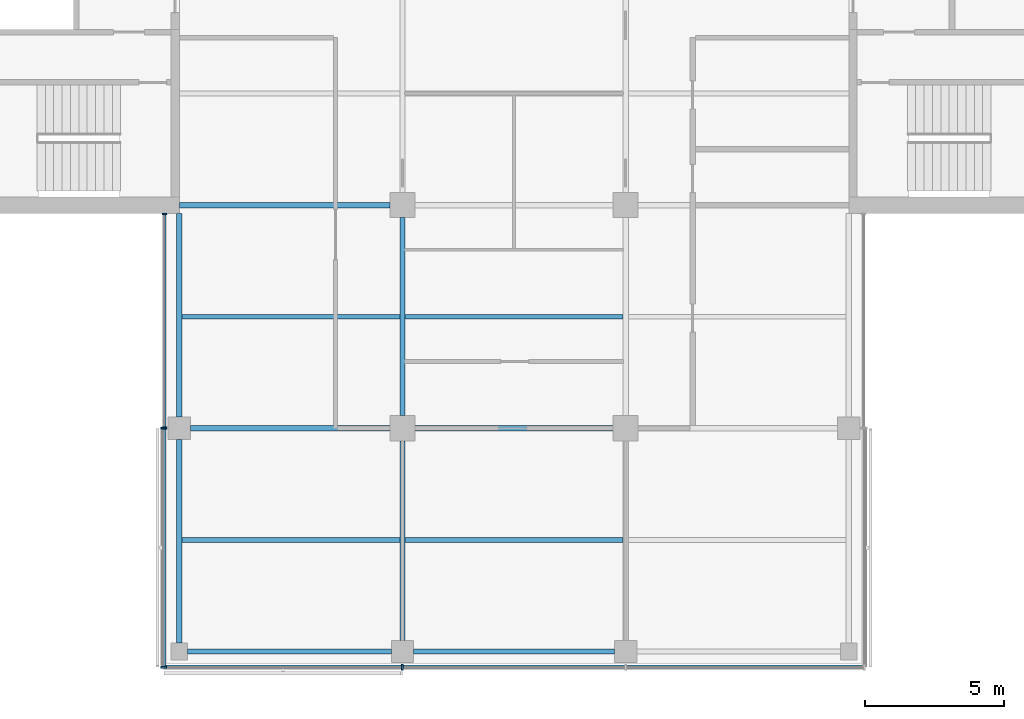
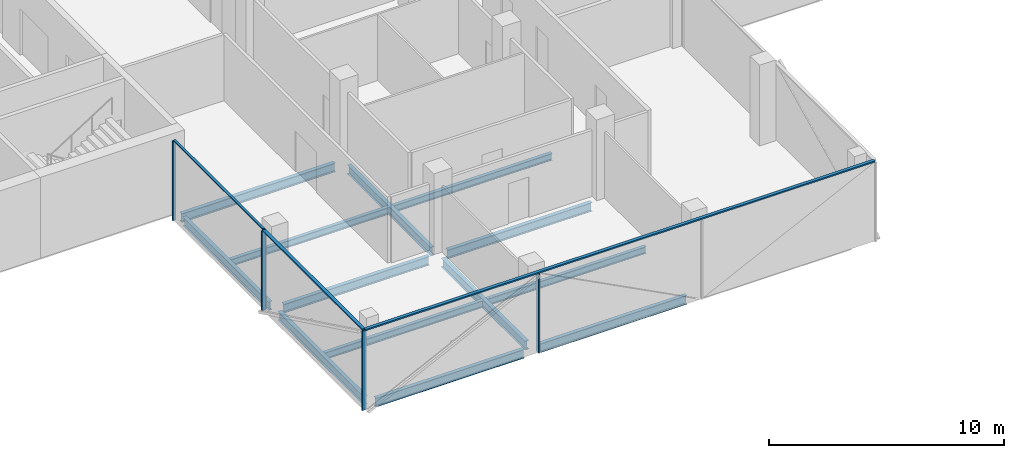
# One storey, part 2 of 15: 13 beams, 8 members, 3 elements without a shape of their own.
"""IFC4 building model written with IfcOpenShell, lengths in metres."""

import ifcopenshell
import ifcopenshell.guid

model = None  # the IFC model being written
_history = None  # IfcOwnerHistory: only IFC2X3 demands one
_inside = {}  # id of a spatial element -> (the spatial element, [elements in it])
_under = {}  # id of a project, library or spatial element -> (it, [spatial elements below it])
_declared = {}  # id of a project -> (the project, [libraries it declares])
_typed = {}  # id of a type object -> (the type object, [elements of that type])
_made_of = {}  # id of a material, layer set ... -> (it, [elements and type objects made of it])


def new_model(schema):
    """Start an empty IFC model of exactly this schema.

    Asked for "IFC4X3", IfcOpenShell would pick the latest addendum, in which some entities
    have other attributes; the version numbers below select the first issue.
    IFC2X3 requires an IfcOwnerHistory on every rooted entity: one is made here for all.
    """
    global model, _history
    if schema == "IFC4X3":
        model = ifcopenshell.file(schema_version=(4, 3, 0, 0))
    else:
        model = ifcopenshell.file(schema=schema)
    _inside.clear()
    _under.clear()
    _declared.clear()
    _typed.clear()
    _made_of.clear()
    _history = None
    if model.schema == "IFC2X3":
        org = make("IfcOrganization", Name="unknown")
        user = make(
            "IfcPersonAndOrganization",
            ThePerson=make("IfcPerson", FamilyName="unknown"),
            TheOrganization=org,
        )
        app = make(
            "IfcApplication",
            ApplicationDeveloper=org,
            Version="unknown",
            ApplicationFullName="unknown",
            ApplicationIdentifier="unknown",
        )
        _history = make(
            "IfcOwnerHistory",
            OwningUser=user,
            OwningApplication=app,
            ChangeAction="ADDED",
            CreationDate=0,
        )
    return model


def make(cls, **values):
    """One entity of the class cls with the attributes given. An attribute that is None is left unset."""
    return model.create_entity(
        cls, **{name: value for name, value in values.items() if value is not None}
    )


def rooted(cls, **values):
    """An entity with a GlobalId (a new one), such as an element, a storey or a relation."""
    return make(cls, GlobalId=ifcopenshell.guid.new(), OwnerHistory=_history, **values)


def si_unit(unit_type, name, prefix=None):
    """IfcSIUnit, for example si_unit("LENGTHUNIT", "METRE", prefix="MILLI")."""
    return make("IfcSIUnit", UnitType=unit_type, Prefix=prefix, Name=name)


def assignment(units):
    """IfcUnitAssignment: the units of a project."""
    return None if units is None else make("IfcUnitAssignment", Units=units)


def point(xyz):
    """IfcCartesianPoint."""
    return None if xyz is None else make("IfcCartesianPoint", Coordinates=xyz)


def direction(xyz):
    """IfcDirection."""
    return None if xyz is None else make("IfcDirection", DirectionRatios=xyz)


def frame(location, z_axis=None, x_axis=None):
    """IfcAxis2Placement3D, a coordinate frame: its origin and axes. An axis left out is left unset."""
    return make(
        "IfcAxis2Placement3D",
        Location=point(location),
        Axis=direction(z_axis),
        RefDirection=direction(x_axis),
    )


def frame_2d(location, x_axis=None):
    """IfcAxis2Placement2D, a coordinate frame in the plane: its origin and x axis."""
    return make(
        "IfcAxis2Placement2D", Location=point(location), RefDirection=direction(x_axis)
    )


def origin():
    """The frame at (0, 0, 0) with its axes left unset."""
    return frame((0.0, 0.0, 0.0))


def origin_2d():
    """The frame at (0, 0) in the plane with its x axis left unset."""
    return frame_2d((0.0, 0.0))


def place(relative_to, where):
    """IfcLocalPlacement: puts the frame where relative to a parent placement (None: the world)."""
    return make(
        "IfcLocalPlacement", PlacementRelTo=relative_to, RelativePlacement=where
    )


def context(
    kind, dimensions, precision=None, world=None, true_north=None, identifier=None
):
    """IfcGeometricRepresentationContext, for example the 3D "Model" context."""
    return make(
        "IfcGeometricRepresentationContext",
        ContextIdentifier=identifier,
        ContextType=kind,
        CoordinateSpaceDimension=dimensions,
        Precision=precision,
        WorldCoordinateSystem=world,
        TrueNorth=true_north,
    )


def subcontext(parent, identifier, kind, view, scale=None):
    """IfcGeometricRepresentationSubContext, for example "Body" below "Model"."""
    return make(
        "IfcGeometricRepresentationSubContext",
        ContextIdentifier=identifier,
        ContextType=kind,
        ParentContext=parent,
        TargetScale=scale,
        TargetView=view,
    )


def project(units=None, contexts=None):
    """IfcProject with its units and contexts."""
    return rooted(
        "IfcProject",
        Name="project",
        RepresentationContexts=contexts,
        UnitsInContext=assignment(units),
    )


def spatial(cls, under=None, at=None, **own):
    """A site, building, storey or space (cls), placed at a placement, below another one or the project."""
    s = rooted(cls, ObjectPlacement=at, **own)
    if under is not None:
        _under.setdefault(under.id(), (under, []))[1].append(s)
    return s


def profile(cls, at=None, kind="AREA", **sizes):
    """A parametric profile (cls). Its sizes go by their IFC names, for example OverallWidth=200.0."""
    return make(cls, ProfileType=kind, Position=at, **sizes)


def rectangle(**sizes):
    """IfcRectangleProfileDef."""
    return profile("IfcRectangleProfileDef", **sizes)


def i_section(**sizes):
    """IfcIShapeProfileDef."""
    return profile("IfcIShapeProfileDef", **sizes)


def extrude(swept, where, along, depth):
    """IfcExtrudedAreaSolid: the profile swept, set in the frame where, extruded along a direction by depth."""
    return make(
        "IfcExtrudedAreaSolid",
        SweptArea=swept,
        Position=where,
        ExtrudedDirection=direction(along),
        Depth=depth,
    )


def shape(context_of_items, identifier, shape_type, items):
    """IfcShapeRepresentation: the items that make up one representation, for example the "Body"."""
    return make(
        "IfcShapeRepresentation",
        ContextOfItems=context_of_items,
        RepresentationIdentifier=identifier,
        RepresentationType=shape_type,
        Items=items,
    )


def material(Name=None, Category=None):
    """IfcMaterial."""
    return make("IfcMaterial", Name=Name, Category=Category)


def material_profile(
    of_material, cross_section, Name=None, Category=None, Priority=None
):
    """IfcMaterialProfile: a cross section and its material."""
    return make(
        "IfcMaterialProfile",
        Name=Name,
        Material=of_material,
        Profile=cross_section,
        Priority=Priority,
        Category=Category,
    )


def profile_set(profiles, Name=None, composite=None):
    """IfcMaterialProfileSet."""
    return make(
        "IfcMaterialProfileSet",
        Name=Name,
        MaterialProfiles=profiles,
        CompositeProfile=composite,
    )


def made_of(thing, what):
    """Note that an element or type object is made of a material, layer set ...; save() writes the relation."""
    if what is not None:
        _made_of.setdefault(what.id(), (what, []))[1].append(thing)
    return thing


def type_object(cls, material=None, **own):
    """A type object (cls), such as IfcWallType, which elements share."""
    return made_of(rooted(cls, **own), material)


def element(
    cls,
    number,
    at=None,
    inside=None,
    cuts=None,
    type_object=None,
    material=None,
    context=None,
    identifier="Body",
    shape_type=None,
    held_by="IfcProductDefinitionShape",
    body=None,
    shapes=None,
    **own,
):
    """One element of the class cls, such as IfcWall. Its Tag is "e" and its number.

    at: its placement. inside: the storey or other place that contains it. cuts: it is an
    opening in that element (IfcRelVoidsElement). A single representation is given by context,
    identifier, shape_type and body (its items); several are given by shapes. held_by: the class
    of the entity that holds the representations. save() writes the other relations.
    """
    e = rooted(cls, Tag="e%d" % number, ObjectPlacement=at, **own)
    if body is not None:
        shapes = [shape(context, identifier, shape_type, body)]
    if shapes is not None:
        e.Representation = make(held_by, Representations=shapes)
    if inside is not None:
        _inside.setdefault(inside.id(), (inside, []))[1].append(e)
    if cuts is not None:
        rooted(
            "IfcRelVoidsElement", RelatingBuildingElement=cuts, RelatedOpeningElement=e
        )
    if type_object is not None:
        _typed.setdefault(type_object.id(), (type_object, []))[1].append(e)
    return made_of(e, material)


def aggregate(whole, parts):
    """IfcRelAggregates: a whole, such as a stair, and the parts it consists of."""
    return rooted("IfcRelAggregates", RelatingObject=whole, RelatedObjects=parts)


def save(model, path):
    """Write the relations noted so far, then the file.

    IfcRelAggregates (storeys below a building ...), IfcRelContainedInSpatialStructure (elements
    in a storey), IfcRelDefinesByType, IfcRelAssociatesMaterial and IfcRelDeclares: one each for
    every whole, place, type object, material and project.
    """
    for whole, parts in _under.values():
        aggregate(whole, parts)
    for where, things in _inside.values():
        rooted(
            "IfcRelContainedInSpatialStructure",
            RelatedElements=things,
            RelatingStructure=where,
        )
    for kind, things in _typed.values():
        rooted("IfcRelDefinesByType", RelatedObjects=things, RelatingType=kind)
    for what, things in _made_of.values():
        rooted("IfcRelAssociatesMaterial", RelatedObjects=things, RelatingMaterial=what)
    for by, libraries in _declared.values():
        rooted("IfcRelDeclares", RelatingContext=by, RelatedDefinitions=libraries)
    model.write(path)


model = new_model("IFC4")

# Units and contexts
model_context = context("Model", 3, precision=1e-05, world=origin(), true_north=direction((0.0, 1.0)))
body_context = subcontext(model_context, "Body", "Model", "MODEL_VIEW")
ifc_project = project(units=[si_unit("LENGTHUNIT", "METRE"), si_unit("AREAUNIT", "SQUARE_METRE"), si_unit("VOLUMEUNIT", "CUBIC_METRE"), si_unit("PLANEANGLEUNIT", "RADIAN"), si_unit("MASSUNIT", "GRAM", prefix="KILO")], contexts=[model_context])

# Site, building, storey
site_placement = place(None, origin())
site = spatial("IfcSite", under=ifc_project, at=site_placement, CompositionType="ELEMENT")
building_placement = place(site_placement, origin())
building = spatial("IfcBuilding", under=site, at=building_placement, Name="Crosswind Convention Tower", CompositionType="ELEMENT")
storey_placement = place(building_placement, frame((0.0, 0.0, 191.5)))
storey = spatial("IfcBuildingStorey", under=building, at=storey_placement, Name="L40", CompositionType="ELEMENT", Elevation=191.5)

# Beams
ifc_material_1 = material(Name="Steel S355", Category="steel")
ifc_material_profile_1 = material_profile(ifc_material_1, i_section(OverallWidth=0.18994140625, OverallDepth=0.45361328125, WebThickness=0.008544921875, FlangeThickness=0.0126953125, FilletRadius=0.01025390625, at=origin_2d()), Name="UB 457x191x67")
ifc_profile_set_1 = profile_set([ifc_material_profile_1], Name="Steel S355")
beam_type_1 = type_object("IfcBeamType", Name="Edge beam UB 457x191x67", PredefinedType="SPANDREL", material=ifc_profile_set_1)
for number, where, z_axis, x_axis, name in (
    (1, (113.0, 72.300048828125, -0.52685546875), (0.0, 1.0, 0.0), (-1.0, 0.0, 0.0), "B16 L40 edge beam 1"),
    (2, (113.0, 80.39990234375, -0.52685546875), (0.0, 1.0, 0.0), (-1.0, 0.0, 0.0), "B16 L40 edge beam 2"),
    (3, (113.300048828125, 72.0, -0.52685546875), (1.0, 0.0, 0.0), (0.0, 1.0, 0.0), "B16 L40 edge beam 5"),
):
    element("IfcBeam", number, at=place(storey_placement, frame(where, z_axis=z_axis, x_axis=x_axis)), inside=storey, type_object=beam_type_1, Name=name, PredefinedType="SPANDREL", context=body_context, shape_type="SweptSolid", body=[
        extrude(i_section(OverallWidth=0.18994140625, OverallDepth=0.45361328125, WebThickness=0.008544921875, FlangeThickness=0.0126953125, FilletRadius=0.01025390625, at=origin_2d()), origin(), (0.0, 0.0, 1.0), 7.300048828125),
    ])
beam_1_placement = place(storey_placement, frame((121.39990234375, 72.0, -0.52685546875), z_axis=(1.0, 0.0, 0.0), x_axis=(0.0, 1.0, 0.0)))
element("IfcBeam", 4, at=beam_1_placement, inside=storey, type_object=beam_type_1, Name="B16 L40 edge beam 7", PredefinedType="SPANDREL", context=body_context, shape_type="SweptSolid", body=[
    extrude(i_section(OverallWidth=0.18994140625, OverallDepth=0.45361328125, WebThickness=0.008544921875, FlangeThickness=0.0126953125, FilletRadius=0.01025390625, at=origin_2d()), origin(), (0.0, 0.0, 1.0), 7.2001953125),
])
ifc_material_profile_2 = material_profile(ifc_material_1, i_section(OverallWidth=0.1904296875, OverallDepth=0.457275390625, WebThickness=0.009033203125, FlangeThickness=0.014404296875, FilletRadius=0.01025390625, at=origin_2d()), Name="UB 457x191x75")
ifc_profile_set_2 = profile_set([ifc_material_profile_2], Name="Steel S355")
beam_type_2 = type_object("IfcBeamType", Name="Girder UB 457x191x75", PredefinedType="BEAM", material=ifc_profile_set_2)
for number, where, z_axis, x_axis, name in (
    (5, (113.39990234375, 80.0, -0.528564453125), (1.0, 0.0, 0.0), (0.0, 1.0, 0.0), "B2 L40 girder 1"),
    (6, (121.0, 72.39990234375, -0.528564453125), (0.0, 1.0, 0.0), (-1.0, 0.0, 0.0), "B2 L40 girder 3"),
):
    element("IfcBeam", number, at=place(storey_placement, frame(where, z_axis=z_axis, x_axis=x_axis)), inside=storey, type_object=beam_type_2, Name=name, PredefinedType="BEAM", context=body_context, shape_type="SweptSolid", body=[
        extrude(i_section(OverallWidth=0.1904296875, OverallDepth=0.457275390625, WebThickness=0.009033203125, FlangeThickness=0.014404296875, FilletRadius=0.01025390625, at=origin_2d()), origin(), (0.0, 0.0, 1.0), 7.150146484375),
    ])
for number, where, z_axis, x_axis, name in (
    (7, (121.0, 80.449951171875, -0.528564453125), (0.0, 1.0, 0.0), (-1.0, 0.0, 0.0), "B2 L40 girder 4"),
    (8, (121.449951171875, 80.0, -0.528564453125), (1.0, 0.0, 0.0), (0.0, 1.0, 0.0), "B2 L40 girder 10"),
):
    element("IfcBeam", number, at=place(storey_placement, frame(where, z_axis=z_axis, x_axis=x_axis)), inside=storey, type_object=beam_type_2, Name=name, PredefinedType="BEAM", context=body_context, shape_type="SweptSolid", body=[
        extrude(i_section(OverallWidth=0.1904296875, OverallDepth=0.457275390625, WebThickness=0.009033203125, FlangeThickness=0.014404296875, FilletRadius=0.01025390625, at=origin_2d()), origin(), (0.0, 0.0, 1.0), 7.10009765625),
    ])
ifc_material_profile_3 = material_profile(ifc_material_1, i_section(OverallWidth=0.19140625, OverallDepth=0.460205078125, WebThickness=0.010009765625, FlangeThickness=0.01611328125, FilletRadius=0.01025390625, at=origin_2d()), Name="UB 457x191x82")
ifc_profile_set_3 = profile_set([ifc_material_profile_3], Name="Steel S355")
beam_type_3 = type_object("IfcBeamType", Name="Girder at core wall UB 457x191x82", PredefinedType="BEAM", material=ifc_profile_set_3)
beam_2_placement = place(storey_placement, frame((113.0, 88.0, -0.530029296875), z_axis=(1.0, 0.0, 0.0), x_axis=(0.0, 1.0, 0.0)))
element("IfcBeam", 9, at=beam_2_placement, inside=storey, type_object=beam_type_3, Name="B23 L40 girder at core wall 1", PredefinedType="BEAM", context=body_context, shape_type="SweptSolid", body=[
    extrude(i_section(OverallWidth=0.19140625, OverallDepth=0.460205078125, WebThickness=0.010009765625, FlangeThickness=0.01611328125, FilletRadius=0.01025390625, at=origin_2d()), origin(), (0.0, 0.0, 1.0), 7.550048828125),
])

# Curtain wall, members
ifc_material_2 = material(Name="Aluminium unitised curtain wall", Category="aluminium")
curtain_wall_type_1 = type_object("IfcCurtainWallType", Name="CORE END SLOT WALL 160", PredefinedType="USERDEFINED", material=ifc_material_2)
curtain_wall_1_placement = place(storey_placement, origin())
curtain_wall_1 = element("IfcCurtainWall", 10, at=curtain_wall_1_placement, inside=storey, type_object=curtain_wall_type_1, Name="CW6 L40 S-W.1-1 slot", ObjectType="UNITISED", PredefinedType="USERDEFINED")
ifc_material_3 = material(Name="Aluminium mullion", Category="aluminium")
ifc_material_profile_4 = material_profile(ifc_material_3, rectangle(XDim=0.159912109375, YDim=0.050048828125, at=origin_2d()), Name="AL 160X50")
ifc_profile_set_4 = profile_set([ifc_material_profile_4], Name="Aluminium mullion")
member_type_1 = type_object("IfcMemberType", Name="MULLION 50X160", PredefinedType="MULLION", material=ifc_profile_set_4)
member_1_placement = place(storey_placement, frame((112.469970703125, 87.675048828125, -0.300048828125), z_axis=(0.0, 0.0, 1.0), x_axis=(-1.0, 0.0, 0.0)))
member_1 = element("IfcMember", 11, at=member_1_placement, type_object=member_type_1, Name="CW6 mullion 1", PredefinedType="MULLION", context=body_context, shape_type="SweptSolid", body=[
    extrude(rectangle(XDim=0.159912109375, YDim=0.050048828125, at=origin_2d()), origin(), (0.0, 0.0, 1.0), 4.150146484375),
])
member_2_placement = place(storey_placement, frame((112.469970703125, 80.02490234375, -0.300048828125), z_axis=(0.0, 0.0, 1.0), x_axis=(-1.0, 0.0, 0.0)))
member_2 = element("IfcMember", 12, at=member_2_placement, type_object=member_type_1, Name="CW6 mullion 2", PredefinedType="MULLION", context=body_context, shape_type="SweptSolid", body=[
    extrude(rectangle(XDim=0.159912109375, YDim=0.050048828125, at=origin_2d()), origin(), (0.0, 0.0, 1.0), 4.150146484375),
])

curtain_wall_type_2 = type_object("IfcCurtainWallType", Name="OFFICE UNITISED WALL 220", PredefinedType="USERDEFINED", material=ifc_material_2)
curtain_wall_2_placement = place(storey_placement, origin())
curtain_wall_2 = element("IfcCurtainWall", 13, at=curtain_wall_2_placement, inside=storey, type_object=curtain_wall_type_2, Name="CW3 L40 S-W 1", ObjectType="UNITISED", PredefinedType="USERDEFINED")
ifc_material_profile_5 = material_profile(ifc_material_3, rectangle(XDim=0.219970703125, YDim=0.070068359375, at=origin_2d()), Name="AL 220X70")
ifc_profile_set_5 = profile_set([ifc_material_profile_5], Name="Aluminium mullion")
member_type_2 = type_object("IfcMemberType", Name="MULLION 70X220", PredefinedType="MULLION", material=ifc_profile_set_5)
member_3_placement = place(storey_placement, frame((112.43994140625, 80.0, -0.300048828125), z_axis=(0.0, 0.0, 1.0), x_axis=(-1.0, 0.0, 0.0)))
member_3 = element("IfcMember", 14, at=member_3_placement, type_object=member_type_2, Name="CW3 mullion 1", PredefinedType="MULLION", context=body_context, shape_type="SweptSolid", body=[
    extrude(rectangle(XDim=0.219970703125, YDim=0.070068359375, at=origin_2d()), origin(), (0.0, 0.0, 1.0), 4.130126953125),
])
member_4_placement = place(storey_placement, frame((112.43994140625, 71.43994140625, -0.300048828125), z_axis=(0.0, 0.0, 1.0), x_axis=(-1.0, 0.0, 0.0)))
member_4 = element("IfcMember", 15, at=member_4_placement, type_object=member_type_2, Name="CW3 mullion 2", PredefinedType="MULLION", context=body_context, shape_type="SweptSolid", body=[
    extrude(rectangle(XDim=0.219970703125, YDim=0.070068359375, at=origin_2d()), origin(), (0.0, 0.0, 1.0), 4.130126953125),
])

# Curtain wall, member
curtain_wall_3_placement = place(storey_placement, origin())
curtain_wall_3 = element("IfcCurtainWall", 16, at=curtain_wall_3_placement, inside=storey, type_object=curtain_wall_type_2, Name="CW3 L40 S-TIP 1", ObjectType="UNITISED", PredefinedType="USERDEFINED")
member_5_placement = place(storey_placement, frame((121.0, 71.43994140625, -0.300048828125), z_axis=(0.0, 0.0, 1.0), x_axis=(0.0, -1.0, 0.0)))
member_5 = element("IfcMember", 17, at=member_5_placement, type_object=member_type_2, Name="CW3 mullion 2", PredefinedType="MULLION", context=body_context, shape_type="SweptSolid", body=[
    extrude(rectangle(XDim=0.219970703125, YDim=0.070068359375, at=origin_2d()), origin(), (0.0, 0.0, 1.0), 4.130126953125),
])

# Beams
ifc_material_profile_6 = material_profile(ifc_material_1, i_section(OverallWidth=0.172119140625, OverallDepth=0.358642578125, WebThickness=0.008056640625, FlangeThickness=0.012939453125, FilletRadius=0.01025390625, at=origin_2d()), Name="UB 356x171x57")
ifc_profile_set_6 = profile_set([ifc_material_profile_6], Name="Steel S355")
beam_type_4 = type_object("IfcBeamType", Name="Secondary beam UB 356x171x57", PredefinedType="JOIST", material=ifc_profile_set_6)
for number, where, z_axis, x_axis, name in (
    (18, (113.094970703125, 76.0, -0.479248046875), (1.0, 0.0, 0.0), (0.0, 1.0, 0.0), "B9 L40 secondary beam 4"),
    (19, (113.094970703125, 84.0, -0.479248046875), (1.0, 0.0, 0.0), (0.0, 1.0, 0.0), "B9 L40 secondary beam 5"),
):
    element("IfcBeam", number, at=place(storey_placement, frame(where, z_axis=z_axis, x_axis=x_axis)), inside=storey, type_object=beam_type_4, Name=name, PredefinedType="JOIST", context=body_context, shape_type="SweptSolid", body=[
        extrude(i_section(OverallWidth=0.172119140625, OverallDepth=0.358642578125, WebThickness=0.008056640625, FlangeThickness=0.012939453125, FilletRadius=0.01025390625, at=origin_2d()), origin(), (0.0, 0.0, 1.0), 7.809814453125),
    ])
for number, where, z_axis, x_axis, name in (
    (20, (121.09521484375, 76.0, -0.479248046875), (1.0, 0.0, 0.0), (0.0, 1.0, 0.0), "B9 L40 secondary beam 8"),
    (21, (121.09521484375, 84.0, -0.479248046875), (1.0, 0.0, 0.0), (0.0, 1.0, 0.0), "B9 L40 secondary beam 9"),
):
    element("IfcBeam", number, at=place(storey_placement, frame(where, z_axis=z_axis, x_axis=x_axis)), inside=storey, type_object=beam_type_4, Name=name, PredefinedType="JOIST", context=body_context, shape_type="SweptSolid", body=[
        extrude(i_section(OverallWidth=0.172119140625, OverallDepth=0.358642578125, WebThickness=0.008056640625, FlangeThickness=0.012939453125, FilletRadius=0.01025390625, at=origin_2d()), origin(), (0.0, 0.0, 1.0), 7.8095703125),
    ])

# Member
ifc_material_4 = material(Name="Aluminium transom", Category="aluminium")
ifc_material_profile_7 = material_profile(ifc_material_4, rectangle(XDim=0.1201171875, YDim=0.050048828125, at=origin_2d()), Name="AL 120X50")
ifc_profile_set_7 = profile_set([ifc_material_profile_7], Name="Aluminium transom")
member_type_3 = type_object("IfcMemberType", Name="TRANSOM 50X120", PredefinedType="USERDEFINED", material=ifc_profile_set_7)
member_6_placement = place(storey_placement, frame((112.469970703125, 87.64990234375, 3.875), z_axis=(0.0, -1.0, 0.0), x_axis=(1.0, 0.0, 0.0)))
member_6 = element("IfcMember", 22, at=member_6_placement, type_object=member_type_3, Name="CW6 transom", ObjectType="TRANSOM", PredefinedType="USERDEFINED", context=body_context, shape_type="SweptSolid", body=[
    extrude(rectangle(XDim=0.1201171875, YDim=0.050048828125, at=origin_2d()), origin(), (0.0, 0.0, 1.0), 7.599853515625),
])

aggregate(curtain_wall_1, [member_1, member_2, member_6])

ifc_material_profile_8 = material_profile(ifc_material_4, rectangle(XDim=0.159912109375, YDim=0.070068359375, at=origin_2d()), Name="AL 160X70")
ifc_profile_set_8 = profile_set([ifc_material_profile_8], Name="Aluminium transom")
member_type_4 = type_object("IfcMemberType", Name="TRANSOM 70X160", PredefinedType="USERDEFINED", material=ifc_profile_set_8)
member_7_placement = place(storey_placement, frame((112.43994140625, 79.965087890625, 3.864990234375), z_axis=(0.0, -1.0, 0.0), x_axis=(1.0, 0.0, 0.0)))
member_7 = element("IfcMember", 23, at=member_7_placement, type_object=member_type_4, Name="CW3 transom", ObjectType="TRANSOM", PredefinedType="USERDEFINED", context=body_context, shape_type="SweptSolid", body=[
    extrude(rectangle(XDim=0.159912109375, YDim=0.070068359375, at=origin_2d()), origin(), (0.0, 0.0, 1.0), 8.489990234375),
])

aggregate(curtain_wall_2, [member_3, member_4, member_7])

member_8_placement = place(storey_placement, frame((112.47509765625, 71.43994140625, 3.864990234375), z_axis=(1.0, 0.0, 0.0), x_axis=(0.0, 1.0, 0.0)))
member_8 = element("IfcMember", 24, at=member_8_placement, type_object=member_type_4, Name="CW3 transom", ObjectType="TRANSOM", PredefinedType="USERDEFINED", context=body_context, shape_type="SweptSolid", body=[
    extrude(rectangle(XDim=0.159912109375, YDim=0.070068359375, at=origin_2d()), origin(), (0.0, 0.0, 1.0), 25.0498046875),
])

aggregate(curtain_wall_3, [member_5, member_8])

save(model, "model.ifc")
